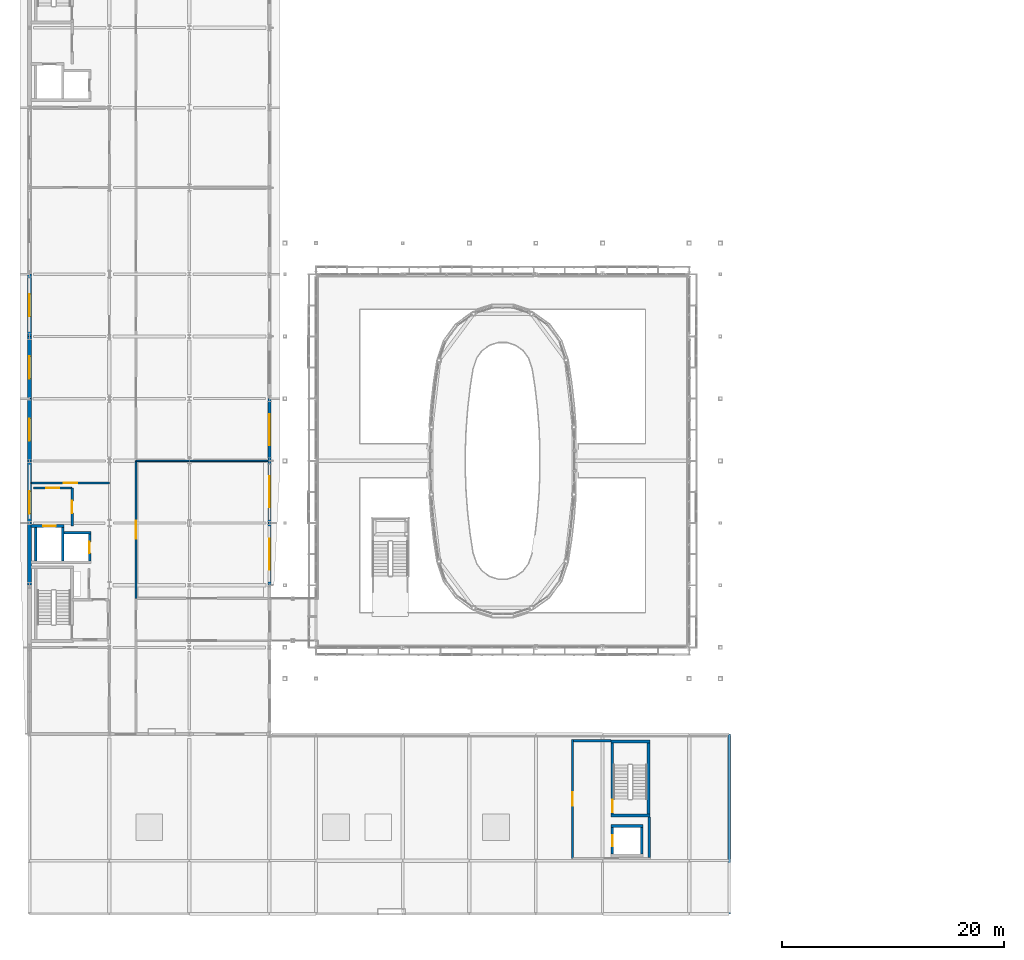
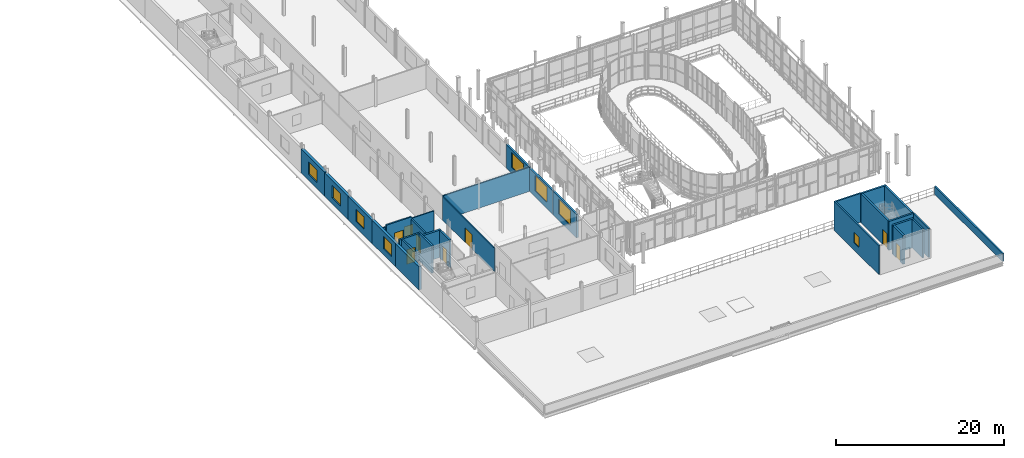
# One storey, part 115 of 138: 29 walls, 10 windows, 6 doors, 16 openings.
"""IFC4 building model written with IfcOpenShell, lengths in metres."""

from ifc_helpers import new_model, si_unit, direction, frame, frame_2d, origin, place, context, subcontext, project, spatial, rectangle, extrude, material, layer, layer_set, type_object, element, fill, save


model = new_model("IFC4")

# Units and contexts
model_context = context("Model", 3, precision=1e-05, world=origin(), true_north=direction((0.0, 1.0)))
body_context = subcontext(model_context, "Body", "Model", "MODEL_VIEW")
ifc_project = project(units=[si_unit("LENGTHUNIT", "METRE"), si_unit("AREAUNIT", "SQUARE_METRE"), si_unit("VOLUMEUNIT", "CUBIC_METRE"), si_unit("PLANEANGLEUNIT", "RADIAN"), si_unit("MASSUNIT", "GRAM", prefix="KILO")], contexts=[model_context])

# Site, building, storey
site_placement = place(None, origin())
site = spatial("IfcSite", under=ifc_project, at=site_placement, CompositionType="ELEMENT")
building_placement = place(site_placement, origin())
building = spatial("IfcBuilding", under=site, at=building_placement, Name="Vinh Khe Railworks Police Headquarters", CompositionType="ELEMENT")
storey_placement = place(building_placement, frame((0.0, 0.0, 9.0)))
storey = spatial("IfcBuildingStorey", under=building, at=storey_placement, Name="L02", CompositionType="ELEMENT", Elevation=9.0)

# Wall, opening, door
ifc_material_1 = material(Name="Concrete C40/50 (B40)", Category="concrete")
ifc_layer_1 = layer(ifc_material_1, 0.25)
ifc_layer_set_1 = layer_set([ifc_layer_1], Name="Concrete C40/50 (B40)")
wall_type_1 = type_object("IfcWallType", Name="Core Shear Wall 250", PredefinedType="SHEAR", material=ifc_layer_set_1)
wall_1_placement = place(storey_placement, frame((0.75, 36.125, 0.0), z_axis=(0.0, 0.0, 1.0), x_axis=(1.0, 0.0, 0.0)))
wall_1 = element("IfcWall", 1, at=wall_1_placement, inside=storey, type_object=wall_type_1, Name="Core C1 FL-N Lift Shaft Wall (L02)", PredefinedType="SHEAR", context=body_context, shape_type="SweptSolid", body=[
    extrude(rectangle(XDim=2.97509765625, YDim=0.25, at=frame_2d((1.487548828125, 0.0))), origin(), (0.0, 0.0, 1.0), 3.97998046875),
])
opening_1_placement = place(wall_1_placement, frame((1.10009765625, 0.0, 0.0)))
opening_1 = element("IfcOpeningElement", 2, at=opening_1_placement, cuts=wall_1, Name="Opening LD-01", PredefinedType="OPENING", context=body_context, shape_type="SweptSolid", body=[
    extrude(rectangle(XDim=1.10009765625, YDim=2.14990234375, at=frame_2d((0.550048828125, 1.074951171875))), frame((0.0, 0.139892578125, 0.0), z_axis=(0.0, -1.0, 0.0), x_axis=(1.0, 0.0, 0.0)), (0.0, 0.0, 1.0), 0.27978515625),
])
ifc_material_2 = material(Name="Painted galvanised steel", Category="steel")
door_type_1 = type_object("IfcDoorType", Name="LD-FF-1100", OperationType="SLIDING_TO_LEFT", PredefinedType="DOOR", material=ifc_material_2)
door_1_placement = place(opening_1_placement, origin())
door_1 = element("IfcDoor", 3, at=door_1_placement, inside=storey, type_object=door_type_1, Name="Firefighting Lift Landing Door FL-01 L02", OperationType="SLIDING_TO_LEFT", OverallHeight=2.14990234375, OverallWidth=1.10009765625, PredefinedType="DOOR", context=body_context, shape_type="SweptSolid", body=[
    extrude(rectangle(XDim=1.10009765625, YDim=2.14990234375, at=frame_2d((0.550048828125, 1.074951171875))), frame((0.0, 0.02490234375, 0.0), z_axis=(0.0, -1.0, 0.0), x_axis=(1.0, 0.0, 0.0)), (0.0, 0.0, 1.0), 0.050048828125),
])
fill(opening_1, door_1)

# Walls
wall_2_placement = place(storey_placement, frame((3.72509765625, 35.52490234375, 0.0), z_axis=(0.0, 0.0, 1.0), x_axis=(1.0, 0.0, 0.0)))
element("IfcWall", 4, at=wall_2_placement, inside=storey, type_object=wall_type_1, Name="Core C1 PL-N Lift Shaft Wall (L02)", PredefinedType="SHEAR", context=body_context, shape_type="SweptSolid", body=[
    extrude(rectangle(XDim=2.4248046875, YDim=0.25, at=frame_2d((1.21240234375, 0.0))), origin(), (0.0, 0.0, 1.0), 3.97998046875),
])
for number, where, z_axis, x_axis, name in (
    (5, (1.175048828125, 33.0, 0.0), (0.0, 0.0, 1.0), (0.0, 1.0, 0.0), "Core C1 FL-W Lift Shaft Wall (L02)"),
    (6, (3.60009765625, 33.0, 0.0), (0.0, 0.0, 1.0), (0.0, 1.0, 0.0), "Core C1 LIFT-DIV Lift Shaft Wall (L02)"),
):
    element("IfcWall", number, at=place(storey_placement, frame(where, z_axis=z_axis, x_axis=x_axis)), inside=storey, type_object=wall_type_1, Name=name, PredefinedType="SHEAR", context=body_context, shape_type="SweptSolid", body=[
        extrude(rectangle(XDim=3.0, YDim=0.25, at=frame_2d((1.5, 0.0))), origin(), (0.0, 0.0, 1.0), 3.97998046875),
    ])

# Wall, opening, door
wall_3_placement = place(storey_placement, frame((6.02490234375, 33.0, 0.0), z_axis=(0.0, 0.0, 1.0), x_axis=(0.0, 1.0, 0.0)))
wall_3 = element("IfcWall", 7, at=wall_3_placement, inside=storey, type_object=wall_type_1, Name="Core C1 PL-E Lift Shaft Wall (L02)", PredefinedType="SHEAR", context=body_context, shape_type="SweptSolid", body=[
    extrude(rectangle(XDim=2.39990234375, YDim=0.25, at=frame_2d((1.199951171875, 0.0))), origin(), (0.0, 0.0, 1.0), 3.97998046875),
])
opening_2_placement = place(wall_3_placement, frame((0.699951171875, 0.0, 0.0)))
opening_2 = element("IfcOpeningElement", 8, at=opening_2_placement, cuts=wall_3, Name="Opening LD-02", PredefinedType="OPENING", context=body_context, shape_type="SweptSolid", body=[
    extrude(rectangle(XDim=1.0, YDim=2.14990234375, at=frame_2d((0.5, 1.074951171875))), frame((0.0, 0.139892578125, 0.0), z_axis=(0.0, -1.0, 0.0), x_axis=(1.0, 0.0, 0.0)), (0.0, 0.0, 1.0), 0.27978515625),
])
door_type_2 = type_object("IfcDoorType", Name="LD-PAX-1000", OperationType="SLIDING_TO_RIGHT", PredefinedType="DOOR", material=ifc_material_2)
door_2_placement = place(opening_2_placement, frame((1.0, 0.0, 0.0), z_axis=(0.0, 0.0, 1.0), x_axis=(-1.0, 0.0, 0.0)))
door_2 = element("IfcDoor", 9, at=door_2_placement, inside=storey, type_object=door_type_2, Name="Passenger Lift Landing Door PL-01 L02", OperationType="SLIDING_TO_RIGHT", OverallHeight=2.14990234375, OverallWidth=1.0, PredefinedType="DOOR", context=body_context, shape_type="SweptSolid", body=[
    extrude(rectangle(XDim=1.0, YDim=2.14990234375, at=frame_2d((0.5, 1.074951171875))), frame((0.0, 0.02490234375, 0.0), z_axis=(0.0, -1.0, 0.0), x_axis=(1.0, 0.0, 0.0)), (0.0, 0.0, 1.0), 0.050048828125),
])
fill(opening_2, door_2)

# Walls
for number, where, z_axis, x_axis, name in (
    (10, (52.949951171875, 10.074951171875, 0.0), (0.0, 0.0, 1.0), (1.0, 0.0, 0.0), "Core C5 STAIR-S Shear Wall (L02)"),
    (11, (52.949951171875, 16.72509765625, 0.0), (0.0, 0.0, 1.0), (1.0, 0.0, 0.0), "Core C5 STAIR-N Shear Wall (L02)"),
):
    element("IfcWall", number, at=place(storey_placement, frame(where, z_axis=z_axis, x_axis=x_axis)), inside=storey, type_object=wall_type_1, Name=name, PredefinedType="SHEAR", context=body_context, shape_type="SweptSolid", body=[
        extrude(rectangle(XDim=3.5, YDim=0.25, at=frame_2d((1.75, 0.0))), origin(), (0.0, 0.0, 1.0), 4.199951171875),
    ])

# Wall, opening, door
wall_4_placement = place(storey_placement, frame((53.074951171875, 10.199951171875, 0.0), z_axis=(0.0, 0.0, 1.0), x_axis=(0.0, 1.0, 0.0)))
wall_4 = element("IfcWall", 12, at=wall_4_placement, inside=storey, type_object=wall_type_1, Name="Core C5 STAIR-W Shear Wall (L02)", PredefinedType="SHEAR", context=body_context, shape_type="SweptSolid", body=[
    extrude(rectangle(XDim=6.400146484375, YDim=0.25, at=frame_2d((3.2001953125, 0.0))), origin(), (0.0, 0.0, 1.0), 4.199951171875),
])
opening_3_placement = place(wall_4_placement, frame((0.169921875, 0.0, 0.0)))
opening_3 = element("IfcOpeningElement", 13, at=opening_3_placement, cuts=wall_4, Name="Opening FD-01", PredefinedType="OPENING", context=body_context, shape_type="SweptSolid", body=[
    extrude(rectangle(XDim=1.10009765625, YDim=2.14990234375, at=frame_2d((0.550048828125, 1.074951171875))), frame((0.0, 0.139892578125, 0.0), z_axis=(0.0, -1.0, 0.0), x_axis=(1.0, 0.0, 0.0)), (0.0, 0.0, 1.0), 0.27978515625),
])
door_type_3 = type_object("IfcDoorType", Name="FD-1100x2150", OperationType="NOTDEFINED", PredefinedType="DOOR", material=ifc_material_2)
door_3_placement = place(opening_3_placement, origin())
door_3 = element("IfcDoor", 14, at=door_3_placement, inside=storey, type_object=door_type_3, Name="Escape Stair ST-05 Fire Door L02", OperationType="SINGLE_SWING_RIGHT", OverallHeight=2.14990234375, OverallWidth=1.10009765625, PredefinedType="DOOR", context=body_context, shape_type="SweptSolid", body=[
    extrude(rectangle(XDim=1.10009765625, YDim=2.14990234375, at=frame_2d((0.550048828125, 1.074951171875))), frame((0.0, 0.02490234375, 0.0), z_axis=(0.0, -1.0, 0.0), x_axis=(1.0, 0.0, 0.0)), (0.0, 0.0, 1.0), 0.050048828125),
])
fill(opening_3, door_3)

# Walls
wall_5_placement = place(storey_placement, frame((56.324951171875, 10.199951171875, 0.0), z_axis=(0.0, 0.0, 1.0), x_axis=(0.0, 1.0, 0.0)))
element("IfcWall", 15, at=wall_5_placement, inside=storey, type_object=wall_type_1, Name="Core C5 STAIR-E Shear Wall (L02)", PredefinedType="SHEAR", context=body_context, shape_type="SweptSolid", body=[
    extrude(rectangle(XDim=6.400146484375, YDim=0.25, at=frame_2d((3.2001953125, 0.0))), origin(), (0.0, 0.0, 1.0), 4.199951171875),
])
wall_6_placement = place(storey_placement, frame((52.949951171875, 9.125, 0.0), z_axis=(0.0, 0.0, 1.0), x_axis=(1.0, 0.0, 0.0)))
element("IfcWall", 16, at=wall_6_placement, inside=storey, type_object=wall_type_1, Name="Core C5 PL-N Lift Shaft Wall (L02)", PredefinedType="SHEAR", context=body_context, shape_type="SweptSolid", body=[
    extrude(rectangle(XDim=2.900146484375, YDim=0.25, at=frame_2d((1.4501953125, 0.0))), origin(), (0.0, 0.0, 1.0), 4.199951171875),
])

# Wall, opening, door
wall_7_placement = place(storey_placement, frame((53.074951171875, 6.60009765625, 0.0), z_axis=(0.0, 0.0, 1.0), x_axis=(0.0, 1.0, 0.0)))
wall_7 = element("IfcWall", 17, at=wall_7_placement, inside=storey, type_object=wall_type_1, Name="Core C5 PL-W Lift Shaft Wall (L02)", PredefinedType="SHEAR", context=body_context, shape_type="SweptSolid", body=[
    extrude(rectangle(XDim=2.39990234375, YDim=0.25, at=frame_2d((1.199951171875, 0.0))), origin(), (0.0, 0.0, 1.0), 4.199951171875),
])
opening_4_placement = place(wall_7_placement, frame((0.699951171875, 0.0, 0.0)))
opening_4 = element("IfcOpeningElement", 18, at=opening_4_placement, cuts=wall_7, Name="Opening LD-02", PredefinedType="OPENING", context=body_context, shape_type="SweptSolid", body=[
    extrude(rectangle(XDim=1.0, YDim=2.14990234375, at=frame_2d((0.5, 1.074951171875))), frame((0.0, 0.139892578125, 0.0), z_axis=(0.0, -1.0, 0.0), x_axis=(1.0, 0.0, 0.0)), (0.0, 0.0, 1.0), 0.27978515625),
])
door_4_placement = place(opening_4_placement, origin())
door_4 = element("IfcDoor", 19, at=door_4_placement, inside=storey, type_object=door_type_2, Name="Lift Landing Door PL-04 L02", OperationType="SLIDING_TO_LEFT", OverallHeight=2.14990234375, OverallWidth=1.0, PredefinedType="DOOR", context=body_context, shape_type="SweptSolid", body=[
    extrude(rectangle(XDim=1.0, YDim=2.14990234375, at=frame_2d((0.5, 1.074951171875))), frame((0.0, 0.02490234375, 0.0), z_axis=(0.0, -1.0, 0.0), x_axis=(1.0, 0.0, 0.0)), (0.0, 0.0, 1.0), 0.050048828125),
])
fill(opening_4, door_4)

# Wall
wall_8_placement = place(storey_placement, frame((55.72509765625, 6.60009765625, 0.0), z_axis=(0.0, 0.0, 1.0), x_axis=(0.0, 1.0, 0.0)))
element("IfcWall", 20, at=wall_8_placement, inside=storey, type_object=wall_type_1, Name="Core C5 PL-E Lift Shaft Wall (L02)", PredefinedType="SHEAR", context=body_context, shape_type="SweptSolid", body=[
    extrude(rectangle(XDim=2.39990234375, YDim=0.25, at=frame_2d((1.199951171875, 0.0))), origin(), (0.0, 0.0, 1.0), 4.199951171875),
])

# Wall, opening, window
ifc_material_3 = material(Name="Clay brickwork", Category="masonry")
ifc_layer_2 = layer(ifc_material_3, 0.260009765625)
ifc_layer_set_2 = layer_set([ifc_layer_2], Name="Clay brickwork")
wall_type_2 = type_object("IfcWallType", Name="EW-BRK-260", PredefinedType="SOLIDWALL", material=ifc_layer_set_2)
wall_9_placement = place(storey_placement, frame((22.199951171875, 30.800048828125, 0.0), z_axis=(0.0, 0.0, 1.0), x_axis=(0.0, 1.0, 0.0)))
wall_9 = element("IfcWall", 21, at=wall_9_placement, inside=storey, type_object=wall_type_2, Name="Exterior Brick Wall EW-L02-V5E-03", PredefinedType="SOLIDWALL", context=body_context, shape_type="SweptSolid", body=[
    extrude(rectangle(XDim=5.599853515625, YDim=0.260009765625, at=frame_2d((2.7998046875, 0.0))), origin(), (0.0, 0.0, 1.0), 3.375),
])
opening_5_placement = place(wall_9_placement, frame((1.39990234375, 0.0, 0.89990234375)))
opening_5 = element("IfcOpeningElement", 22, at=opening_5_placement, cuts=wall_9, Name="Opening WN-01", PredefinedType="OPENING", context=body_context, shape_type="SweptSolid", body=[
    extrude(rectangle(XDim=2.800048828125, YDim=2.199951171875, at=frame_2d((1.39990234375, 1.10009765625))), frame((0.0, 0.14501953125, 0.0), z_axis=(0.0, -1.0, 0.0), x_axis=(1.0, 0.0, 0.0)), (0.0, 0.0, 1.0), 0.289794921875),
])
ifc_material_4 = material(Name="Double-glazed solar-control glass in dark steel frame", Category="steel")
window_type_1 = type_object("IfcWindowType", Name="WIN-WN-01", PartitioningType="DOUBLE_PANEL_VERTICAL", PredefinedType="WINDOW", material=ifc_material_4)
window_1_placement = place(opening_5_placement, origin())
window_1 = element("IfcWindow", 23, at=window_1_placement, inside=storey, type_object=window_type_1, Name="Casement Window WN-01", OverallHeight=2.199951171875, OverallWidth=2.800048828125, PartitioningType="SINGLE_PANEL", PredefinedType="WINDOW", context=body_context, shape_type="SweptSolid", body=[
    extrude(rectangle(XDim=2.800048828125, YDim=2.199951171875, at=frame_2d((1.39990234375, 1.10009765625))), frame((0.0, 0.030029296875, 0.0), z_axis=(0.0, -1.0, 0.0), x_axis=(1.0, 0.0, 0.0)), (0.0, 0.0, 1.0), 0.06005859375),
])
fill(opening_5, window_1)

wall_10_placement = place(storey_placement, frame((22.199951171875, 36.39990234375, 0.0), z_axis=(0.0, 0.0, 1.0), x_axis=(0.0, 1.0, 0.0)))
wall_10 = element("IfcWall", 24, at=wall_10_placement, inside=storey, type_object=wall_type_2, Name="Exterior Brick Wall EW-L02-V5E-04", PredefinedType="SOLIDWALL", context=body_context, shape_type="SweptSolid", body=[
    extrude(rectangle(XDim=5.60009765625, YDim=0.260009765625, at=frame_2d((2.800048828125, 0.0))), origin(), (0.0, 0.0, 1.0), 3.375),
])
opening_6_placement = place(wall_10_placement, frame((1.39990234375, 0.0, 0.89990234375)))
opening_6 = element("IfcOpeningElement", 25, at=opening_6_placement, cuts=wall_10, Name="Opening WN-01", PredefinedType="OPENING", context=body_context, shape_type="SweptSolid", body=[
    extrude(rectangle(XDim=2.800048828125, YDim=2.199951171875, at=frame_2d((1.39990234375, 1.10009765625))), frame((0.0, 0.14501953125, 0.0), z_axis=(0.0, -1.0, 0.0), x_axis=(1.0, 0.0, 0.0)), (0.0, 0.0, 1.0), 0.289794921875),
])
window_2_placement = place(opening_6_placement, origin())
window_2 = element("IfcWindow", 26, at=window_2_placement, inside=storey, type_object=window_type_1, Name="Casement Window WN-01", OverallHeight=2.199951171875, OverallWidth=2.800048828125, PartitioningType="SINGLE_PANEL", PredefinedType="WINDOW", context=body_context, shape_type="SweptSolid", body=[
    extrude(rectangle(XDim=2.800048828125, YDim=2.199951171875, at=frame_2d((1.39990234375, 1.10009765625))), frame((0.0, 0.030029296875, 0.0), z_axis=(0.0, -1.0, 0.0), x_axis=(1.0, 0.0, 0.0)), (0.0, 0.0, 1.0), 0.06005859375),
])
fill(opening_6, window_2)

wall_11_placement = place(storey_placement, frame((22.199951171875, 42.0, 0.0), z_axis=(0.0, 0.0, 1.0), x_axis=(0.0, 1.0, 0.0)))
wall_11 = element("IfcWall", 27, at=wall_11_placement, inside=storey, type_object=wall_type_2, Name="Exterior Brick Wall EW-L02-V5E-05", PredefinedType="SOLIDWALL", context=body_context, shape_type="SweptSolid", body=[
    extrude(rectangle(XDim=5.60009765625, YDim=0.260009765625, at=frame_2d((2.800048828125, 0.0))), origin(), (0.0, 0.0, 1.0), 3.425048828125),
])
opening_7_placement = place(wall_11_placement, frame((1.39990234375, 0.0, 0.89990234375)))
opening_7 = element("IfcOpeningElement", 28, at=opening_7_placement, cuts=wall_11, Name="Opening WN-01", PredefinedType="OPENING", context=body_context, shape_type="SweptSolid", body=[
    extrude(rectangle(XDim=2.800048828125, YDim=2.199951171875, at=frame_2d((1.39990234375, 1.10009765625))), frame((0.0, 0.14501953125, 0.0), z_axis=(0.0, -1.0, 0.0), x_axis=(1.0, 0.0, 0.0)), (0.0, 0.0, 1.0), 0.289794921875),
])
window_3_placement = place(opening_7_placement, origin())
window_3 = element("IfcWindow", 29, at=window_3_placement, inside=storey, type_object=window_type_1, Name="Casement Window WN-01", OverallHeight=2.199951171875, OverallWidth=2.800048828125, PartitioningType="SINGLE_PANEL", PredefinedType="WINDOW", context=body_context, shape_type="SweptSolid", body=[
    extrude(rectangle(XDim=2.800048828125, YDim=2.199951171875, at=frame_2d((1.39990234375, 1.10009765625))), frame((0.0, 0.030029296875, 0.0), z_axis=(0.0, -1.0, 0.0), x_axis=(1.0, 0.0, 0.0)), (0.0, 0.0, 1.0), 0.06005859375),
])
fill(opening_7, window_3)

# Wall
ifc_layer_3 = layer(ifc_material_3, 0.340087890625)
ifc_layer_set_3 = layer_set([ifc_layer_3], Name="Clay brickwork")
wall_type_3 = type_object("IfcWallType", Name="EW-BRK-340", PredefinedType="SOLIDWALL", material=ifc_layer_set_3)
wall_12_placement = place(storey_placement, frame((0.60009765625, 30.800048828125, 0.0), z_axis=(0.0, 0.0, 1.0), x_axis=(0.0, 1.0, 0.0)))
element("IfcWall", 30, at=wall_12_placement, inside=storey, type_object=wall_type_3, Name="Exterior Brick Wall EW-L02-V5W-03", PredefinedType="SOLIDWALL", context=body_context, shape_type="SweptSolid", body=[
    extrude(rectangle(XDim=5.599853515625, YDim=0.340087890625, at=frame_2d((2.7998046875, 0.0))), origin(), (0.0, 0.0, 1.0), 3.375),
])

# Wall, opening, window
wall_13_placement = place(storey_placement, frame((0.60009765625, 36.39990234375, 0.0), z_axis=(0.0, 0.0, 1.0), x_axis=(0.0, 1.0, 0.0)))
wall_13 = element("IfcWall", 31, at=wall_13_placement, inside=storey, type_object=wall_type_3, Name="Exterior Brick Wall EW-L02-V5W-04", PredefinedType="SOLIDWALL", context=body_context, shape_type="SweptSolid", body=[
    extrude(rectangle(XDim=5.60009765625, YDim=0.340087890625, at=frame_2d((2.800048828125, 0.0))), origin(), (0.0, 0.0, 1.0), 3.375),
])
opening_8_placement = place(wall_13_placement, frame((0.85009765625, 0.0, 0.89990234375)))
opening_8 = element("IfcOpeningElement", 32, at=opening_8_placement, cuts=wall_13, Name="Opening WN-04", PredefinedType="OPENING", context=body_context, shape_type="SweptSolid", body=[
    extrude(rectangle(XDim=2.0, YDim=1.800048828125, at=frame_2d((1.0, 0.89990234375))), frame((0.0, 0.18505859375, 0.0), z_axis=(0.0, -1.0, 0.0), x_axis=(1.0, 0.0, 0.0)), (0.0, 0.0, 1.0), 0.369873046875),
])
window_type_2 = type_object("IfcWindowType", Name="WIN-WN-04", PartitioningType="DOUBLE_PANEL_VERTICAL", PredefinedType="WINDOW", material=ifc_material_4)
window_4_placement = place(opening_8_placement, origin())
window_4 = element("IfcWindow", 33, at=window_4_placement, inside=storey, type_object=window_type_2, Name="Casement Window WN-04", OverallHeight=1.800048828125, OverallWidth=2.0, PartitioningType="SINGLE_PANEL", PredefinedType="WINDOW", context=body_context, shape_type="SweptSolid", body=[
    extrude(rectangle(XDim=2.0, YDim=1.800048828125, at=frame_2d((1.0, 0.89990234375))), frame((0.0, 0.030029296875, 0.0), z_axis=(0.0, -1.0, 0.0), x_axis=(1.0, 0.0, 0.0)), (0.0, 0.0, 1.0), 0.06005859375),
])
fill(opening_8, window_4)

wall_14_placement = place(storey_placement, frame((0.60009765625, 42.0, 0.0), z_axis=(0.0, 0.0, 1.0), x_axis=(0.0, 1.0, 0.0)))
wall_14 = element("IfcWall", 34, at=wall_14_placement, inside=storey, type_object=wall_type_3, Name="Exterior Brick Wall EW-L02-V5W-05", PredefinedType="SOLIDWALL", context=body_context, shape_type="SweptSolid", body=[
    extrude(rectangle(XDim=5.60009765625, YDim=0.340087890625, at=frame_2d((2.800048828125, 0.0))), origin(), (0.0, 0.0, 1.0), 3.375),
])
opening_9_placement = place(wall_14_placement, frame((1.800048828125, 0.0, 0.89990234375)))
opening_9 = element("IfcOpeningElement", 35, at=opening_9_placement, cuts=wall_14, Name="Opening WN-04", PredefinedType="OPENING", context=body_context, shape_type="SweptSolid", body=[
    extrude(rectangle(XDim=2.0, YDim=1.800048828125, at=frame_2d((1.0, 0.89990234375))), frame((0.0, 0.18505859375, 0.0), z_axis=(0.0, -1.0, 0.0), x_axis=(1.0, 0.0, 0.0)), (0.0, 0.0, 1.0), 0.369873046875),
])
window_5_placement = place(opening_9_placement, origin())
window_5 = element("IfcWindow", 36, at=window_5_placement, inside=storey, type_object=window_type_2, Name="Casement Window WN-04", OverallHeight=1.800048828125, OverallWidth=2.0, PartitioningType="SINGLE_PANEL", PredefinedType="WINDOW", context=body_context, shape_type="SweptSolid", body=[
    extrude(rectangle(XDim=2.0, YDim=1.800048828125, at=frame_2d((1.0, 0.89990234375))), frame((0.0, 0.030029296875, 0.0), z_axis=(0.0, -1.0, 0.0), x_axis=(1.0, 0.0, 0.0)), (0.0, 0.0, 1.0), 0.06005859375),
])
fill(opening_9, window_5)

wall_15_placement = place(storey_placement, frame((0.60009765625, 47.60009765625, 0.0), z_axis=(0.0, 0.0, 1.0), x_axis=(0.0, 1.0, 0.0)))
wall_15 = element("IfcWall", 37, at=wall_15_placement, inside=storey, type_object=wall_type_3, Name="Exterior Brick Wall EW-L02-V5W-06", PredefinedType="SOLIDWALL", context=body_context, shape_type="SweptSolid", body=[
    extrude(rectangle(XDim=5.599853515625, YDim=0.340087890625, at=frame_2d((2.7998046875, 0.0))), origin(), (0.0, 0.0, 1.0), 3.425048828125),
])
opening_10_placement = place(wall_15_placement, frame((1.800048828125, 0.0, 0.89990234375)))
opening_10 = element("IfcOpeningElement", 38, at=opening_10_placement, cuts=wall_15, Name="Opening WN-04", PredefinedType="OPENING", context=body_context, shape_type="SweptSolid", body=[
    extrude(rectangle(XDim=2.0, YDim=1.800048828125, at=frame_2d((1.0, 0.89990234375))), frame((0.0, 0.18505859375, 0.0), z_axis=(0.0, -1.0, 0.0), x_axis=(1.0, 0.0, 0.0)), (0.0, 0.0, 1.0), 0.369873046875),
])
window_6_placement = place(opening_10_placement, origin())
window_6 = element("IfcWindow", 39, at=window_6_placement, inside=storey, type_object=window_type_2, Name="Casement Window WN-04", OverallHeight=1.800048828125, OverallWidth=2.0, PartitioningType="SINGLE_PANEL", PredefinedType="WINDOW", context=body_context, shape_type="SweptSolid", body=[
    extrude(rectangle(XDim=2.0, YDim=1.800048828125, at=frame_2d((1.0, 0.89990234375))), frame((0.0, 0.030029296875, 0.0), z_axis=(0.0, -1.0, 0.0), x_axis=(1.0, 0.0, 0.0)), (0.0, 0.0, 1.0), 0.06005859375),
])
fill(opening_10, window_6)

wall_16_placement = place(storey_placement, frame((0.60009765625, 53.199951171875, 0.0), z_axis=(0.0, 0.0, 1.0), x_axis=(0.0, 1.0, 0.0)))
wall_16 = element("IfcWall", 40, at=wall_16_placement, inside=storey, type_object=wall_type_3, Name="Exterior Brick Wall EW-L02-V5W-07", PredefinedType="SOLIDWALL", context=body_context, shape_type="SweptSolid", body=[
    extrude(rectangle(XDim=5.60009765625, YDim=0.340087890625, at=frame_2d((2.800048828125, 0.0))), origin(), (0.0, 0.0, 1.0), 3.52490234375),
])
opening_11_placement = place(wall_16_placement, frame((1.800048828125, 0.0, 0.89990234375)))
opening_11 = element("IfcOpeningElement", 41, at=opening_11_placement, cuts=wall_16, Name="Opening WN-04", PredefinedType="OPENING", context=body_context, shape_type="SweptSolid", body=[
    extrude(rectangle(XDim=2.0, YDim=1.800048828125, at=frame_2d((1.0, 0.89990234375))), frame((0.0, 0.18505859375, 0.0), z_axis=(0.0, -1.0, 0.0), x_axis=(1.0, 0.0, 0.0)), (0.0, 0.0, 1.0), 0.369873046875),
])
window_7_placement = place(opening_11_placement, origin())
window_7 = element("IfcWindow", 42, at=window_7_placement, inside=storey, type_object=window_type_2, Name="Casement Window WN-04", OverallHeight=1.800048828125, OverallWidth=2.0, PartitioningType="SINGLE_PANEL", PredefinedType="WINDOW", context=body_context, shape_type="SweptSolid", body=[
    extrude(rectangle(XDim=2.0, YDim=1.800048828125, at=frame_2d((1.0, 0.89990234375))), frame((0.0, 0.030029296875, 0.0), z_axis=(0.0, -1.0, 0.0), x_axis=(1.0, 0.0, 0.0)), (0.0, 0.0, 1.0), 0.06005859375),
])
fill(opening_11, window_7)

# Walls
ifc_material_5 = material(Name="Precast concrete C40/50 (B40)", Category="concrete")
ifc_layer_4 = layer(ifc_material_5, 0.219970703125)
ifc_layer_set_4 = layer_set([ifc_layer_4], Name="Precast concrete C40/50 (B40)")
wall_type_4 = type_object("IfcWallType", Name="EW-PAR-220", PredefinedType="PARAPET", material=ifc_layer_set_4)
wall_17_placement = place(storey_placement, frame((63.60009765625, 1.199951171875, 0.0), z_axis=(0.0, 0.0, 1.0), x_axis=(0.0, 1.0, 0.0)))
element("IfcWall", 43, at=wall_17_placement, inside=storey, type_object=wall_type_4, Name="Roof Parapet Wall L02-03", PredefinedType="PARAPET", context=body_context, shape_type="SweptSolid", body=[
    extrude(rectangle(XDim=16.199951171875, YDim=0.219970703125, at=frame_2d((8.10009765625, 0.0))), origin(), (0.0, 0.0, 1.0), 1.14990234375),
])
ifc_material_6 = material(Name="Autoclaved aerated concrete blockwork", Category="masonry")
ifc_layer_5 = layer(ifc_material_6, 0.199951171875)
ifc_layer_set_5 = layer_set([ifc_layer_5], Name="Autoclaved aerated concrete blockwork")
wall_type_5 = type_object("IfcWallType", Name="IW-BLK-200", PredefinedType="PARTITIONING", material=ifc_layer_set_5)
wall_18_placement = place(storey_placement, frame((49.60009765625, 16.800048828125, 0.0), z_axis=(0.0, 0.0, 1.0), x_axis=(1.0, 0.0, 0.0)))
element("IfcWall", 44, at=wall_18_placement, inside=storey, type_object=wall_type_5, Name="Core C5 Headhouse Enclosure Wall L02-NW", PredefinedType="PARTITIONING", context=body_context, shape_type="SweptSolid", body=[
    extrude(rectangle(XDim=3.349853515625, YDim=0.199951171875, at=frame_2d((1.6748046875, 0.0))), origin(), (0.0, 0.0, 1.0), 4.199951171875),
])
wall_19_placement = place(storey_placement, frame((56.39990234375, 6.300048828125, 0.0), z_axis=(0.0, 0.0, 1.0), x_axis=(0.0, 1.0, 0.0)))
element("IfcWall", 45, at=wall_19_placement, inside=storey, type_object=wall_type_5, Name="Core C5 Headhouse Enclosure Wall L02-SE", PredefinedType="PARTITIONING", context=body_context, shape_type="SweptSolid", body=[
    extrude(rectangle(XDim=3.64990234375, YDim=0.199951171875, at=frame_2d((1.824951171875, 0.0))), origin(), (0.0, 0.0, 1.0), 4.199951171875),
])

# Wall, opening, window
wall_20_placement = place(storey_placement, frame((49.5, 16.89990234375, 0.0), z_axis=(0.0, 0.0, 1.0), x_axis=(0.0, -1.0, 0.0)))
wall_20 = element("IfcWall", 46, at=wall_20_placement, inside=storey, type_object=wall_type_5, Name="Core C5 Headhouse Enclosure Wall L02-4", PredefinedType="PARTITIONING", context=body_context, shape_type="SweptSolid", body=[
    extrude(rectangle(XDim=10.699951171875, YDim=0.199951171875, at=frame_2d((5.35009765625, 0.0))), origin(), (0.0, 0.0, 1.0), 4.199951171875),
])
opening_12_placement = place(wall_20_placement, frame((4.75, 0.0, 1.10009765625)))
opening_12 = element("IfcOpeningElement", 47, at=opening_12_placement, cuts=wall_20, Name="Opening WN-10", PredefinedType="OPENING", context=body_context, shape_type="SweptSolid", body=[
    extrude(rectangle(XDim=1.199951171875, YDim=1.5, at=frame_2d((0.60009765625, 0.75))), frame((0.0, 0.11474609375, 0.0), z_axis=(0.0, -1.0, 0.0), x_axis=(1.0, 0.0, 0.0)), (0.0, 0.0, 1.0), 0.229736328125),
])
window_type_3 = type_object("IfcWindowType", Name="WIN-WN-10", PartitioningType="SINGLE_PANEL", PredefinedType="WINDOW", material=ifc_material_4)
window_8_placement = place(opening_12_placement, origin())
window_8 = element("IfcWindow", 48, at=window_8_placement, inside=storey, type_object=window_type_3, Name="Core C5 Headhouse Daylight Window WN-10", OverallHeight=1.5, OverallWidth=1.199951171875, PartitioningType="SINGLE_PANEL", PredefinedType="WINDOW", context=body_context, shape_type="SweptSolid", body=[
    extrude(rectangle(XDim=1.199951171875, YDim=1.5, at=frame_2d((0.60009765625, 0.75))), frame((0.0, 0.030029296875, 0.0), z_axis=(0.0, -1.0, 0.0), x_axis=(1.0, 0.0, 0.0)), (0.0, 0.0, 1.0), 0.06005859375),
])
fill(opening_12, window_8)

wall_21_placement = place(storey_placement, frame((0.949951171875, 39.550048828125, 0.0), z_axis=(0.0, 0.0, 1.0), x_axis=(1.0, 0.0, 0.0)))
wall_21 = element("IfcWall", 49, at=wall_21_placement, inside=storey, type_object=wall_type_5, Name="Interior Partition W-FFL-C1-N-L02", PredefinedType="PARTITIONING", context=body_context, shape_type="SweptSolid", body=[
    extrude(rectangle(XDim=3.5, YDim=0.199951171875, at=frame_2d((1.75, 0.0))), origin(), (0.0, 0.0, 1.0), 3.97509765625),
])
opening_13_placement = place(wall_21_placement, frame((1.14990234375, 0.0, 0.949951171875)))
opening_13 = element("IfcOpeningElement", 50, at=opening_13_placement, cuts=wall_21, Name="Opening WN-10", PredefinedType="OPENING", context=body_context, shape_type="SweptSolid", body=[
    extrude(rectangle(XDim=1.199951171875, YDim=1.5, at=frame_2d((0.60009765625, 0.75))), frame((0.0, 0.11474609375, 0.0), z_axis=(0.0, -1.0, 0.0), x_axis=(1.0, 0.0, 0.0)), (0.0, 0.0, 1.0), 0.229736328125),
])
window_9_placement = place(opening_13_placement, origin())
window_9 = element("IfcWindow", 51, at=window_9_placement, inside=storey, type_object=window_type_3, Name="Interior Acoustic Vision Window WN-10", OverallHeight=1.5, OverallWidth=1.199951171875, PartitioningType="SINGLE_PANEL", PredefinedType="WINDOW", context=body_context, shape_type="SweptSolid", body=[
    extrude(rectangle(XDim=1.199951171875, YDim=1.5, at=frame_2d((0.60009765625, 0.75))), frame((0.0, 0.030029296875, 0.0), z_axis=(0.0, -1.0, 0.0), x_axis=(1.0, 0.0, 0.0)), (0.0, 0.0, 1.0), 0.06005859375),
])
fill(opening_13, window_9)

# Wall, opening, door
wall_22_placement = place(storey_placement, frame((4.449951171875, 36.14990234375, 0.0), z_axis=(0.0, 0.0, 1.0), x_axis=(0.0, 1.0, 0.0)))
wall_22 = element("IfcWall", 52, at=wall_22_placement, inside=storey, type_object=wall_type_5, Name="Interior Partition W-FFL-C1-E-L02", PredefinedType="PARTITIONING", context=body_context, shape_type="SweptSolid", body=[
    extrude(rectangle(XDim=3.400146484375, YDim=0.199951171875, at=frame_2d((1.7001953125, 0.0))), origin(), (0.0, 0.0, 1.0), 3.64501953125),
])
opening_14_placement = place(wall_22_placement, frame((1.14990234375, 0.0, 0.0)))
opening_14 = element("IfcOpeningElement", 53, at=opening_14_placement, cuts=wall_22, Name="Opening FD-01", PredefinedType="OPENING", context=body_context, shape_type="SweptSolid", body=[
    extrude(rectangle(XDim=1.10009765625, YDim=2.14990234375, at=frame_2d((0.550048828125, 1.074951171875))), frame((0.0, 0.11474609375, 0.0), z_axis=(0.0, -1.0, 0.0), x_axis=(1.0, 0.0, 0.0)), (0.0, 0.0, 1.0), 0.229736328125),
])
door_5_placement = place(opening_14_placement, origin())
door_5 = element("IfcDoor", 54, at=door_5_placement, inside=storey, type_object=door_type_3, Name="Firefighting Lobby Exit Door", OperationType="SINGLE_SWING_RIGHT", OverallHeight=2.14990234375, OverallWidth=1.10009765625, PredefinedType="DOOR", context=body_context, shape_type="SweptSolid", body=[
    extrude(rectangle(XDim=1.10009765625, YDim=2.14990234375, at=frame_2d((0.550048828125, 1.074951171875))), frame((0.0, 0.02490234375, 0.0), z_axis=(0.0, -1.0, 0.0), x_axis=(1.0, 0.0, 0.0)), (0.0, 0.0, 1.0), 0.050048828125),
])
fill(opening_14, door_5)

# Wall, opening, window
ifc_material_7 = material(Name="Gypsum plasterboard on steel stud", Category="steel")
ifc_layer_6 = layer(ifc_material_7, 0.1201171875)
ifc_layer_set_6 = layer_set([ifc_layer_6], Name="Gypsum plasterboard on steel stud")
wall_type_6 = type_object("IfcWallType", Name="IW-PART-120", PredefinedType="PARTITIONING", material=ifc_layer_set_6)
wall_23_placement = place(storey_placement, frame((0.780029296875, 40.0, 0.0), z_axis=(0.0, 0.0, 1.0), x_axis=(1.0, 0.0, 0.0)))
wall_23 = element("IfcWall", 55, at=wall_23_placement, inside=storey, type_object=wall_type_6, Name="Interior Partition W-L02-V5-TRF2-DIV", PredefinedType="PARTITIONING", context=body_context, shape_type="SweptSolid", body=[
    extrude(rectangle(XDim=7.02001953125, YDim=0.14990234375, at=frame_2d((3.510009765625, 0.0))), origin(), (0.0, 0.0, 1.0), 3.375),
])
opening_15_placement = place(wall_23_placement, frame((2.909912109375, 0.0, 0.949951171875)))
opening_15 = element("IfcOpeningElement", 56, at=opening_15_placement, cuts=wall_23, Name="Opening WN-10", PredefinedType="OPENING", context=body_context, shape_type="SweptSolid", body=[
    extrude(rectangle(XDim=1.199951171875, YDim=1.5, at=frame_2d((0.60009765625, 0.75))), frame((0.0, 0.08984375, 0.0), z_axis=(0.0, -1.0, 0.0), x_axis=(1.0, 0.0, 0.0)), (0.0, 0.0, 1.0), 0.1796875),
])
window_10_placement = place(opening_15_placement, origin())
window_10 = element("IfcWindow", 57, at=window_10_placement, inside=storey, type_object=window_type_3, Name="Interior Acoustic Vision Window WN-10", OverallHeight=1.5, OverallWidth=1.199951171875, PartitioningType="SINGLE_PANEL", PredefinedType="WINDOW", context=body_context, shape_type="SweptSolid", body=[
    extrude(rectangle(XDim=1.199951171875, YDim=1.5, at=frame_2d((0.60009765625, 0.75))), frame((0.0, 0.030029296875, 0.0), z_axis=(0.0, -1.0, 0.0), x_axis=(1.0, 0.0, 0.0)), (0.0, 0.0, 1.0), 0.06005859375),
])
fill(opening_15, window_10)

# Wall
wall_24_placement = place(storey_placement, frame((10.199951171875, 42.0, 0.0), z_axis=(0.0, 0.0, 1.0), x_axis=(1.0, 0.0, 0.0)))
element("IfcWall", 58, at=wall_24_placement, inside=storey, type_object=wall_type_6, Name="Interior Partition W-L02-V5-ANL2-DIV", PredefinedType="PARTITIONING", context=body_context, shape_type="SweptSolid", body=[
    extrude(rectangle(XDim=11.860107421875, YDim=0.14990234375, at=frame_2d((5.93017578125, 0.0))), origin(), (0.0, 0.0, 1.0), 3.52490234375),
])

# Wall, opening, door
ifc_material_8 = material(Name="Gypsum plasterboard on acoustic steel stud", Category="steel")
ifc_layer_7 = layer(ifc_material_8, 0.14990234375)
ifc_layer_set_7 = layer_set([ifc_layer_7], Name="Gypsum plasterboard on acoustic steel stud")
wall_type_7 = type_object("IfcWallType", Name="IW-PART-150", PredefinedType="PARTITIONING", material=ifc_layer_set_7)
wall_25_placement = place(storey_placement, frame((10.199951171875, 29.60009765625, 0.0), z_axis=(0.0, 0.0, 1.0), x_axis=(0.0, 1.0, 0.0)))
wall_25 = element("IfcWall", 59, at=wall_25_placement, inside=storey, type_object=wall_type_7, Name="Interior Partition W-L02-V5-PRESS2-CE", PredefinedType="PARTITIONING", context=body_context, shape_type="SweptSolid", body=[
    extrude(rectangle(XDim=12.39990234375, YDim=0.14990234375, at=frame_2d((6.199951171875, 0.0))), origin(), (0.0, 0.0, 1.0), 3.375),
])
opening_16_placement = place(wall_25_placement, frame((5.39990234375, 0.0, 0.0)))
opening_16 = element("IfcOpeningElement", 60, at=opening_16_placement, cuts=wall_25, Name="Opening D-03", PredefinedType="OPENING", context=body_context, shape_type="SweptSolid", body=[
    extrude(rectangle(XDim=1.60009765625, YDim=2.14990234375, at=frame_2d((0.800048828125, 1.074951171875))), frame((0.0, 0.08984375, 0.0), z_axis=(0.0, -1.0, 0.0), x_axis=(1.0, 0.0, 0.0)), (0.0, 0.0, 1.0), 0.1796875),
])
door_type_4 = type_object("IfcDoorType", Name="ID-1600x2150", OperationType="DOUBLE_DOOR_SINGLE_SWING", PredefinedType="DOOR", material=ifc_material_2)
door_6_placement = place(opening_16_placement, origin())
door_6 = element("IfcDoor", 61, at=door_6_placement, inside=storey, type_object=door_type_4, Name="Crisis Press Briefing Room Door", OperationType="DOUBLE_DOOR_SINGLE_SWING", OverallHeight=2.14990234375, OverallWidth=1.60009765625, PredefinedType="DOOR", context=body_context, shape_type="SweptSolid", body=[
    extrude(rectangle(XDim=1.60009765625, YDim=2.14990234375, at=frame_2d((0.800048828125, 1.074951171875))), frame((0.0, 0.02490234375, 0.0), z_axis=(0.0, -1.0, 0.0), x_axis=(1.0, 0.0, 0.0)), (0.0, 0.0, 1.0), 0.050048828125),
])
fill(opening_16, door_6)

save(model, "model.ifc")
